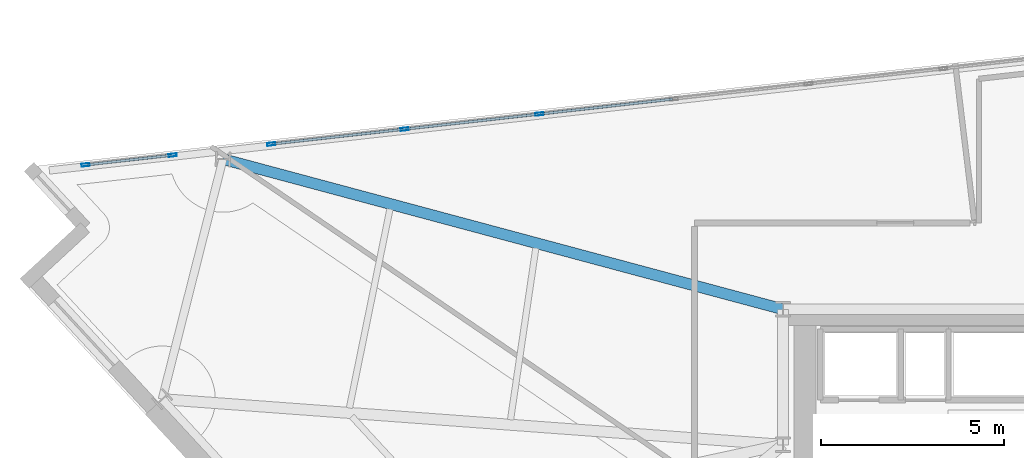
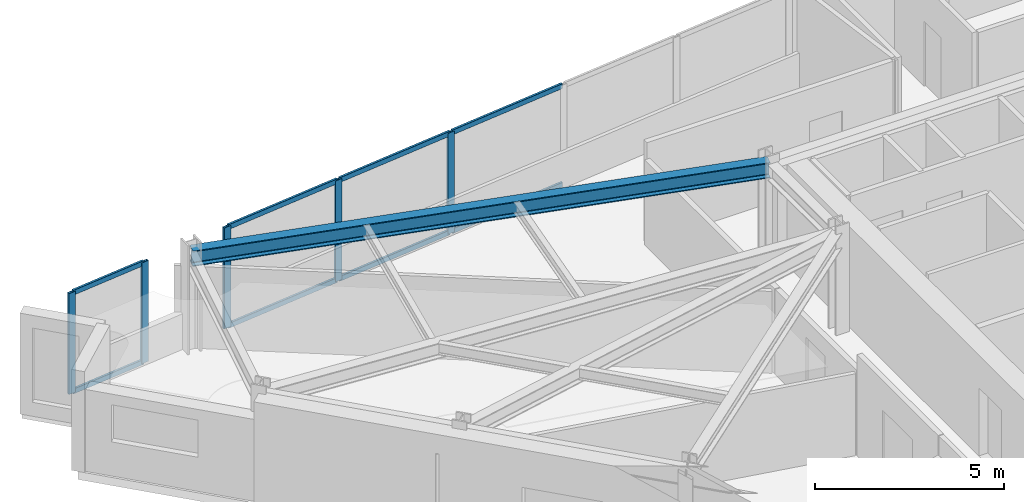
# One storey, part 2 of 14: 13 members, 1 beam, 2 elements without a shape of their own.
"""IFC4 building model written with IfcOpenShell, lengths in metres."""

import ifcopenshell
import ifcopenshell.guid

model = None  # the IFC model being written
_history = None  # IfcOwnerHistory: only IFC2X3 demands one
_inside = {}  # id of a spatial element -> (the spatial element, [elements in it])
_under = {}  # id of a project, library or spatial element -> (it, [spatial elements below it])
_declared = {}  # id of a project -> (the project, [libraries it declares])
_typed = {}  # id of a type object -> (the type object, [elements of that type])
_made_of = {}  # id of a material, layer set ... -> (it, [elements and type objects made of it])


def new_model(schema):
    """Start an empty IFC model of exactly this schema.

    Asked for "IFC4X3", IfcOpenShell would pick the latest addendum, in which some entities
    have other attributes; the version numbers below select the first issue.
    IFC2X3 requires an IfcOwnerHistory on every rooted entity: one is made here for all.
    """
    global model, _history
    if schema == "IFC4X3":
        model = ifcopenshell.file(schema_version=(4, 3, 0, 0))
    else:
        model = ifcopenshell.file(schema=schema)
    _inside.clear()
    _under.clear()
    _declared.clear()
    _typed.clear()
    _made_of.clear()
    _history = None
    if model.schema == "IFC2X3":
        org = make("IfcOrganization", Name="unknown")
        user = make(
            "IfcPersonAndOrganization",
            ThePerson=make("IfcPerson", FamilyName="unknown"),
            TheOrganization=org,
        )
        app = make(
            "IfcApplication",
            ApplicationDeveloper=org,
            Version="unknown",
            ApplicationFullName="unknown",
            ApplicationIdentifier="unknown",
        )
        _history = make(
            "IfcOwnerHistory",
            OwningUser=user,
            OwningApplication=app,
            ChangeAction="ADDED",
            CreationDate=0,
        )
    return model


def make(cls, **values):
    """One entity of the class cls with the attributes given. An attribute that is None is left unset."""
    return model.create_entity(
        cls, **{name: value for name, value in values.items() if value is not None}
    )


def rooted(cls, **values):
    """An entity with a GlobalId (a new one), such as an element, a storey or a relation."""
    return make(cls, GlobalId=ifcopenshell.guid.new(), OwnerHistory=_history, **values)


def si_unit(unit_type, name, prefix=None):
    """IfcSIUnit, for example si_unit("LENGTHUNIT", "METRE", prefix="MILLI")."""
    return make("IfcSIUnit", UnitType=unit_type, Prefix=prefix, Name=name)


def assignment(units):
    """IfcUnitAssignment: the units of a project."""
    return None if units is None else make("IfcUnitAssignment", Units=units)


def point(xyz):
    """IfcCartesianPoint."""
    return None if xyz is None else make("IfcCartesianPoint", Coordinates=xyz)


def direction(xyz):
    """IfcDirection."""
    return None if xyz is None else make("IfcDirection", DirectionRatios=xyz)


def frame(location, z_axis=None, x_axis=None):
    """IfcAxis2Placement3D, a coordinate frame: its origin and axes. An axis left out is left unset."""
    return make(
        "IfcAxis2Placement3D",
        Location=point(location),
        Axis=direction(z_axis),
        RefDirection=direction(x_axis),
    )


def frame_2d(location, x_axis=None):
    """IfcAxis2Placement2D, a coordinate frame in the plane: its origin and x axis."""
    return make(
        "IfcAxis2Placement2D", Location=point(location), RefDirection=direction(x_axis)
    )


def origin():
    """The frame at (0, 0, 0) with its axes left unset."""
    return frame((0.0, 0.0, 0.0))


def origin_2d():
    """The frame at (0, 0) in the plane with its x axis left unset."""
    return frame_2d((0.0, 0.0))


def place(relative_to, where):
    """IfcLocalPlacement: puts the frame where relative to a parent placement (None: the world)."""
    return make(
        "IfcLocalPlacement", PlacementRelTo=relative_to, RelativePlacement=where
    )


def context(
    kind, dimensions, precision=None, world=None, true_north=None, identifier=None
):
    """IfcGeometricRepresentationContext, for example the 3D "Model" context."""
    return make(
        "IfcGeometricRepresentationContext",
        ContextIdentifier=identifier,
        ContextType=kind,
        CoordinateSpaceDimension=dimensions,
        Precision=precision,
        WorldCoordinateSystem=world,
        TrueNorth=true_north,
    )


def subcontext(parent, identifier, kind, view, scale=None):
    """IfcGeometricRepresentationSubContext, for example "Body" below "Model"."""
    return make(
        "IfcGeometricRepresentationSubContext",
        ContextIdentifier=identifier,
        ContextType=kind,
        ParentContext=parent,
        TargetScale=scale,
        TargetView=view,
    )


def project(units=None, contexts=None):
    """IfcProject with its units and contexts."""
    return rooted(
        "IfcProject",
        Name="project",
        RepresentationContexts=contexts,
        UnitsInContext=assignment(units),
    )


def spatial(cls, under=None, at=None, **own):
    """A site, building, storey or space (cls), placed at a placement, below another one or the project."""
    s = rooted(cls, ObjectPlacement=at, **own)
    if under is not None:
        _under.setdefault(under.id(), (under, []))[1].append(s)
    return s


def profile(cls, at=None, kind="AREA", **sizes):
    """A parametric profile (cls). Its sizes go by their IFC names, for example OverallWidth=200.0."""
    return make(cls, ProfileType=kind, Position=at, **sizes)


def hollow_rectangle(**sizes):
    """IfcRectangleHollowProfileDef."""
    return profile("IfcRectangleHollowProfileDef", **sizes)


def i_section(**sizes):
    """IfcIShapeProfileDef."""
    return profile("IfcIShapeProfileDef", **sizes)


def extrude(swept, where, along, depth):
    """IfcExtrudedAreaSolid: the profile swept, set in the frame where, extruded along a direction by depth."""
    return make(
        "IfcExtrudedAreaSolid",
        SweptArea=swept,
        Position=where,
        ExtrudedDirection=direction(along),
        Depth=depth,
    )


def shape(context_of_items, identifier, shape_type, items):
    """IfcShapeRepresentation: the items that make up one representation, for example the "Body"."""
    return make(
        "IfcShapeRepresentation",
        ContextOfItems=context_of_items,
        RepresentationIdentifier=identifier,
        RepresentationType=shape_type,
        Items=items,
    )


def material(Name=None, Category=None):
    """IfcMaterial."""
    return make("IfcMaterial", Name=Name, Category=Category)


def material_profile(
    of_material, cross_section, Name=None, Category=None, Priority=None
):
    """IfcMaterialProfile: a cross section and its material."""
    return make(
        "IfcMaterialProfile",
        Name=Name,
        Material=of_material,
        Profile=cross_section,
        Priority=Priority,
        Category=Category,
    )


def profile_set(profiles, Name=None, composite=None):
    """IfcMaterialProfileSet."""
    return make(
        "IfcMaterialProfileSet",
        Name=Name,
        MaterialProfiles=profiles,
        CompositeProfile=composite,
    )


def made_of(thing, what):
    """Note that an element or type object is made of a material, layer set ...; save() writes the relation."""
    if what is not None:
        _made_of.setdefault(what.id(), (what, []))[1].append(thing)
    return thing


def type_object(cls, material=None, **own):
    """A type object (cls), such as IfcWallType, which elements share."""
    return made_of(rooted(cls, **own), material)


def element(
    cls,
    number,
    at=None,
    inside=None,
    cuts=None,
    type_object=None,
    material=None,
    context=None,
    identifier="Body",
    shape_type=None,
    held_by="IfcProductDefinitionShape",
    body=None,
    shapes=None,
    **own,
):
    """One element of the class cls, such as IfcWall. Its Tag is "e" and its number.

    at: its placement. inside: the storey or other place that contains it. cuts: it is an
    opening in that element (IfcRelVoidsElement). A single representation is given by context,
    identifier, shape_type and body (its items); several are given by shapes. held_by: the class
    of the entity that holds the representations. save() writes the other relations.
    """
    e = rooted(cls, Tag="e%d" % number, ObjectPlacement=at, **own)
    if body is not None:
        shapes = [shape(context, identifier, shape_type, body)]
    if shapes is not None:
        e.Representation = make(held_by, Representations=shapes)
    if inside is not None:
        _inside.setdefault(inside.id(), (inside, []))[1].append(e)
    if cuts is not None:
        rooted(
            "IfcRelVoidsElement", RelatingBuildingElement=cuts, RelatedOpeningElement=e
        )
    if type_object is not None:
        _typed.setdefault(type_object.id(), (type_object, []))[1].append(e)
    return made_of(e, material)


def aggregate(whole, parts):
    """IfcRelAggregates: a whole, such as a stair, and the parts it consists of."""
    return rooted("IfcRelAggregates", RelatingObject=whole, RelatedObjects=parts)


def save(model, path):
    """Write the relations noted so far, then the file.

    IfcRelAggregates (storeys below a building ...), IfcRelContainedInSpatialStructure (elements
    in a storey), IfcRelDefinesByType, IfcRelAssociatesMaterial and IfcRelDeclares: one each for
    every whole, place, type object, material and project.
    """
    for whole, parts in _under.values():
        aggregate(whole, parts)
    for where, things in _inside.values():
        rooted(
            "IfcRelContainedInSpatialStructure",
            RelatedElements=things,
            RelatingStructure=where,
        )
    for kind, things in _typed.values():
        rooted("IfcRelDefinesByType", RelatedObjects=things, RelatingType=kind)
    for what, things in _made_of.values():
        rooted("IfcRelAssociatesMaterial", RelatedObjects=things, RelatingMaterial=what)
    for by, libraries in _declared.values():
        rooted("IfcRelDeclares", RelatingContext=by, RelatedDefinitions=libraries)
    model.write(path)


model = new_model("IFC4")

# Units and contexts
model_context = context("Model", 3, precision=1e-05, world=origin(), true_north=direction((0.0, 1.0)))
body_context = subcontext(model_context, "Body", "Model", "MODEL_VIEW")
ifc_project = project(units=[si_unit("LENGTHUNIT", "METRE"), si_unit("AREAUNIT", "SQUARE_METRE"), si_unit("VOLUMEUNIT", "CUBIC_METRE"), si_unit("PLANEANGLEUNIT", "RADIAN"), si_unit("MASSUNIT", "GRAM", prefix="KILO")], contexts=[model_context])

# Site, building, storey
site_placement = place(None, origin())
site = spatial("IfcSite", under=ifc_project, at=site_placement, CompositionType="ELEMENT")
building_placement = place(site_placement, origin())
building = spatial("IfcBuilding", under=site, at=building_placement, Name="Narakoshi Arena Tower", CompositionType="ELEMENT")
storey_placement = place(building_placement, frame((0.0, 0.0, 288.89990234375)))
storey = spatial("IfcBuildingStorey", under=building, at=storey_placement, Name="L79", CompositionType="ELEMENT", Elevation=288.89990234375)

# Beam
ifc_material_1 = material(Name="Structural steel S355J2", Category="steel")
ifc_material_profile_1 = material_profile(ifc_material_1, i_section(OverallWidth=0.300048828125, OverallDepth=0.5, WebThickness=0.014404296875, FlangeThickness=0.028076171875, FilletRadius=0.027099609375, at=origin_2d()), Name="HE500B")
ifc_profile_set_1 = profile_set([ifc_material_profile_1], Name="Structural steel S355J2")
beam_type = type_object("IfcBeamType", Name="BM-PRI-500", PredefinedType="BEAM", material=ifc_profile_set_1)
beam_placement = place(storey_placement, frame((72.0, 56.5, 3.010009765625), z_axis=(-0.965877018817, 0.259001128418, 0.0), x_axis=(-0.259001128418, -0.965877018817, 0.0)))
element("IfcBeam", 1, at=beam_placement, inside=storey, type_object=beam_type, Name="L79 Radial Primary Floor Girder 08", PredefinedType="BEAM", context=body_context, shape_type="SweptSolid", body=[
    extrude(i_section(OverallWidth=0.300048828125, OverallDepth=0.5, WebThickness=0.014404296875, FlangeThickness=0.028076171875, FilletRadius=0.027099609375, at=origin_2d()), origin(), (0.0, 0.0, 1.0), 15.822998046875),
])

# Curtain wall, members
ifc_material_2 = material(Name="Clear low-iron laminated structural glass", Category="glass")
curtain_wall_type = type_object("IfcCurtainWallType", Name="CW-OBS-TMD", PredefinedType="NOTDEFINED", material=ifc_material_2)
curtain_wall_1_placement = place(storey_placement, origin())
curtain_wall_1 = element("IfcCurtainWall", 2, at=curtain_wall_1_placement, inside=storey, type_object=curtain_wall_type, Name="L79 Folded Hypotenuse Curtain Wall 2-1", PredefinedType="NOTDEFINED")
ifc_material_3 = material(Name="Anodised bronze aluminium 6063-T6", Category="aluminium")
ifc_material_profile_2 = material_profile(ifc_material_3, hollow_rectangle(XDim=0.080078125, YDim=0.219970703125, WallThickness=0.0048828125, OuterFilletRadius=0.006103515625, at=origin_2d()), Name="MUL220x80x5")
ifc_profile_set_2 = profile_set([ifc_material_profile_2], Name="Anodised bronze aluminium 6063-T6")
member_type_1 = type_object("IfcMemberType", Name="MEM-MUL-220", PredefinedType="MULLION", material=ifc_profile_set_2)
member_1_placement = place(storey_placement, frame((65.35009765625, 61.827392578125, 0.0), z_axis=(0.0, 0.0, 1.0), x_axis=(0.111396800294, -0.9937760074, 0.0)))
member_1 = element("IfcMember", 3, at=member_1_placement, type_object=member_type_1, Name="CW-05 mullion 5", PredefinedType="MULLION", context=body_context, shape_type="SweptSolid", body=[
    extrude(hollow_rectangle(XDim=0.080078125, YDim=0.219970703125, WallThickness=0.0048828125, OuterFilletRadius=0.006103515625, at=origin_2d()), origin(), (0.0, 0.0, 1.0), 3.260009765625),
])
member_2_placement = place(storey_placement, frame((61.67236328125, 61.415283203125, 0.0), z_axis=(0.0, 0.0, 1.0), x_axis=(0.111396800294, -0.9937760074, 0.0)))
member_2 = element("IfcMember", 4, at=member_2_placement, type_object=member_type_1, Name="CW-05 mullion 6", PredefinedType="MULLION", context=body_context, shape_type="SweptSolid", body=[
    extrude(hollow_rectangle(XDim=0.080078125, YDim=0.219970703125, WallThickness=0.0048828125, OuterFilletRadius=0.006103515625, at=origin_2d()), origin(), (0.0, 0.0, 1.0), 3.260009765625),
])
member_3_placement = place(storey_placement, frame((58.0341796875, 61.00732421875, 0.0), z_axis=(0.0, 0.0, 1.0), x_axis=(0.111396800294, -0.9937760074, 0.0)))
member_3 = element("IfcMember", 5, at=member_3_placement, type_object=member_type_1, Name="CW-05 mullion 7", PredefinedType="MULLION", context=body_context, shape_type="SweptSolid", body=[
    extrude(hollow_rectangle(XDim=0.080078125, YDim=0.219970703125, WallThickness=0.0048828125, OuterFilletRadius=0.006103515625, at=origin_2d()), origin(), (0.0, 0.0, 1.0), 3.260009765625),
])

curtain_wall_2_placement = place(storey_placement, origin())
curtain_wall_2 = element("IfcCurtainWall", 6, at=curtain_wall_2_placement, inside=storey, type_object=curtain_wall_type, Name="L79 Folded Hypotenuse Curtain Wall 2-2", PredefinedType="NOTDEFINED")
member_4_placement = place(storey_placement, frame((55.34228515625, 60.70556640625, 0.0), z_axis=(0.0, 0.0, 1.0), x_axis=(0.111417951878, -0.993773636197, 0.0)))
member_4 = element("IfcMember", 7, at=member_4_placement, type_object=member_type_1, Name="CW-05 mullion 1", PredefinedType="MULLION", context=body_context, shape_type="SweptSolid", body=[
    extrude(hollow_rectangle(XDim=0.080078125, YDim=0.219970703125, WallThickness=0.0048828125, OuterFilletRadius=0.006103515625, at=origin_2d()), origin(), (0.0, 0.0, 1.0), 3.260009765625),
])
member_5_placement = place(storey_placement, frame((52.967041015625, 60.439453125, 0.0), z_axis=(0.0, 0.0, 1.0), x_axis=(0.111417951878, -0.993773636197, 0.0)))
member_5 = element("IfcMember", 8, at=member_5_placement, type_object=member_type_1, Name="CW-05 mullion 2", PredefinedType="MULLION", context=body_context, shape_type="SweptSolid", body=[
    extrude(hollow_rectangle(XDim=0.080078125, YDim=0.219970703125, WallThickness=0.0048828125, OuterFilletRadius=0.006103515625, at=origin_2d()), origin(), (0.0, 0.0, 1.0), 3.260009765625),
])

# Member
ifc_material_profile_3 = material_profile(ifc_material_3, hollow_rectangle(XDim=0.070068359375, YDim=0.159912109375, WallThickness=0.00390625, OuterFilletRadius=0.0048828125, at=origin_2d()), Name="TRN160x70x4")
ifc_profile_set_3 = profile_set([ifc_material_profile_3], Name="Anodised bronze aluminium 6063-T6")
member_type_2 = type_object("IfcMemberType", Name="MEM-TRN-160", PredefinedType="USERDEFINED", material=ifc_profile_set_3)
member_6_placement = place(storey_placement, frame((68.98828125, 62.2353515625, 0.03515625), z_axis=(-0.993769739501, -0.111452702313, 0.0), x_axis=(0.111452702313, -0.993769739501, 0.0)))
member_6 = element("IfcMember", 9, at=member_6_placement, type_object=member_type_2, Name="CW-05 transom 4.1", ObjectType="TRANSOM", PredefinedType="USERDEFINED", context=body_context, shape_type="SweptSolid", body=[
    extrude(hollow_rectangle(XDim=0.070068359375, YDim=0.159912109375, WallThickness=0.00390625, OuterFilletRadius=0.0048828125, at=origin_2d()), origin(), (0.0, 0.0, 1.0), 3.620849609375),
])

member_7_placement = place(storey_placement, frame((68.98828125, 62.2353515625, 3.22509765625), z_axis=(-0.993769739501, -0.111452702313, 0.0), x_axis=(0.111452702313, -0.993769739501, 0.0)))
member_7 = element("IfcMember", 10, at=member_7_placement, type_object=member_type_2, Name="CW-05 transom 4.2", ObjectType="TRANSOM", PredefinedType="USERDEFINED", context=body_context, shape_type="SweptSolid", body=[
    extrude(hollow_rectangle(XDim=0.070068359375, YDim=0.159912109375, WallThickness=0.00390625, OuterFilletRadius=0.0048828125, at=origin_2d()), origin(), (0.0, 0.0, 1.0), 3.620849609375),
])

member_8_placement = place(storey_placement, frame((65.310302734375, 61.822998046875, 0.03515625), z_axis=(-0.993777205151, -0.111386114588, 0.0), x_axis=(0.111386114588, -0.993777205151, 0.0)))
member_8 = element("IfcMember", 11, at=member_8_placement, type_object=member_type_2, Name="CW-05 transom 5.1", ObjectType="TRANSOM", PredefinedType="USERDEFINED", context=body_context, shape_type="SweptSolid", body=[
    extrude(hollow_rectangle(XDim=0.070068359375, YDim=0.159912109375, WallThickness=0.00390625, OuterFilletRadius=0.0048828125, at=origin_2d()), origin(), (0.0, 0.0, 1.0), 3.620849609375),
])

member_9_placement = place(storey_placement, frame((65.310302734375, 61.822998046875, 3.22509765625), z_axis=(-0.993777205151, -0.111386114588, 0.0), x_axis=(0.111386114588, -0.993777205151, 0.0)))
member_9 = element("IfcMember", 12, at=member_9_placement, type_object=member_type_2, Name="CW-05 transom 5.2", ObjectType="TRANSOM", PredefinedType="USERDEFINED", context=body_context, shape_type="SweptSolid", body=[
    extrude(hollow_rectangle(XDim=0.070068359375, YDim=0.159912109375, WallThickness=0.00390625, OuterFilletRadius=0.0048828125, at=origin_2d()), origin(), (0.0, 0.0, 1.0), 3.620849609375),
])

member_10_placement = place(storey_placement, frame((61.632568359375, 61.41064453125, 0.03515625), z_axis=(-0.993775170147, -0.111404269211, 0.0), x_axis=(0.111404269211, -0.993775170147, 0.0)))
member_10 = element("IfcMember", 13, at=member_10_placement, type_object=member_type_2, Name="CW-05 transom 6.1", ObjectType="TRANSOM", PredefinedType="USERDEFINED", context=body_context, shape_type="SweptSolid", body=[
    extrude(hollow_rectangle(XDim=0.070068359375, YDim=0.159912109375, WallThickness=0.00390625, OuterFilletRadius=0.0048828125, at=origin_2d()), origin(), (0.0, 0.0, 1.0), 3.580810546875),
])

member_11_placement = place(storey_placement, frame((61.632568359375, 61.41064453125, 3.22509765625), z_axis=(-0.993775170147, -0.111404269211, 0.0), x_axis=(0.111404269211, -0.993775170147, 0.0)))
member_11 = element("IfcMember", 14, at=member_11_placement, type_object=member_type_2, Name="CW-05 transom 6.2", ObjectType="TRANSOM", PredefinedType="USERDEFINED", context=body_context, shape_type="SweptSolid", body=[
    extrude(hollow_rectangle(XDim=0.070068359375, YDim=0.159912109375, WallThickness=0.00390625, OuterFilletRadius=0.0048828125, at=origin_2d()), origin(), (0.0, 0.0, 1.0), 3.580810546875),
])

aggregate(curtain_wall_1, [member_1, member_2, member_3, member_6, member_7, member_8, member_9, member_10, member_11])

member_12_placement = place(storey_placement, frame((55.302490234375, 60.701171875, 0.03515625), z_axis=(-0.993776292325, -0.11139425844, 0.0), x_axis=(0.11139425844, -0.993776292325, 0.0)))
member_12 = element("IfcMember", 15, at=member_12_placement, type_object=member_type_2, Name="CW-05 transom 1.1", ObjectType="TRANSOM", PredefinedType="USERDEFINED", context=body_context, shape_type="SweptSolid", body=[
    extrude(hollow_rectangle(XDim=0.070068359375, YDim=0.159912109375, WallThickness=0.00390625, OuterFilletRadius=0.0048828125, at=origin_2d()), origin(), (0.0, 0.0, 1.0), 2.31005859375),
])

member_13_placement = place(storey_placement, frame((55.302490234375, 60.701171875, 3.22509765625), z_axis=(-0.993776292325, -0.11139425844, 0.0), x_axis=(0.11139425844, -0.993776292325, 0.0)))
member_13 = element("IfcMember", 16, at=member_13_placement, type_object=member_type_2, Name="CW-05 transom 1.2", ObjectType="TRANSOM", PredefinedType="USERDEFINED", context=body_context, shape_type="SweptSolid", body=[
    extrude(hollow_rectangle(XDim=0.070068359375, YDim=0.159912109375, WallThickness=0.00390625, OuterFilletRadius=0.0048828125, at=origin_2d()), origin(), (0.0, 0.0, 1.0), 2.31005859375),
])

aggregate(curtain_wall_2, [member_4, member_5, member_12, member_13])

save(model, "model.ifc")
